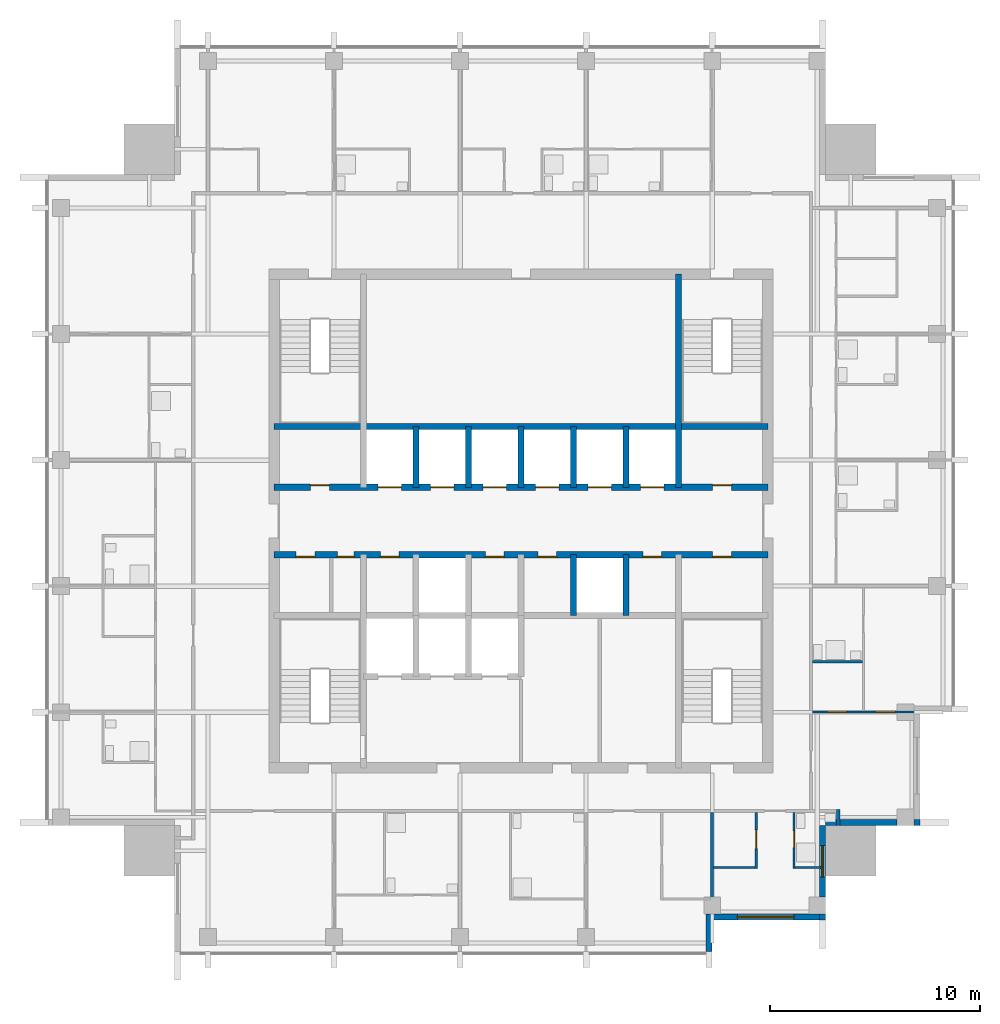
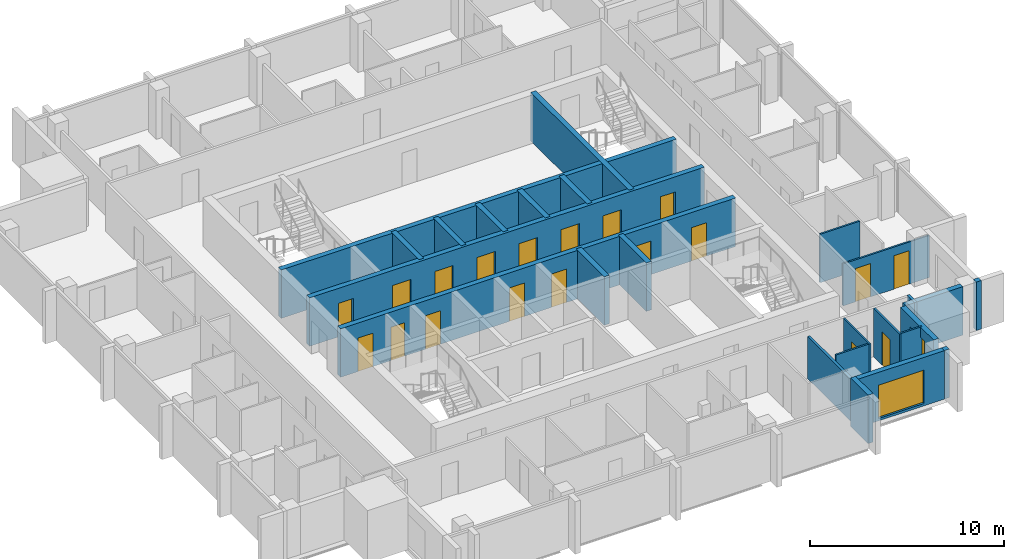
# One storey, part 5 of 9: 25 walls, 19 doors, 2 windows, 21 openings.
"""IFC4 building model written with IfcOpenShell, lengths in metres."""

from ifc_helpers import new_model, si_unit, direction, frame, frame_2d, origin, place, context, subcontext, project, spatial, rectangle, extrude, material, layer, layer_set, type_object, element, fill, save


model = new_model("IFC4")

# Units and contexts
model_context = context("Model", 3, precision=1e-05, world=origin(), true_north=direction((0.0, 1.0)))
body_context = subcontext(model_context, "Body", "Model", "MODEL_VIEW")
ifc_project = project(units=[si_unit("LENGTHUNIT", "METRE"), si_unit("AREAUNIT", "SQUARE_METRE"), si_unit("VOLUMEUNIT", "CUBIC_METRE"), si_unit("PLANEANGLEUNIT", "RADIAN"), si_unit("MASSUNIT", "GRAM", prefix="KILO")], contexts=[model_context])

# Site, building, storey
site_placement = place(None, origin())
site = spatial("IfcSite", under=ifc_project, at=site_placement, CompositionType="ELEMENT")
building_placement = place(site_placement, origin())
building = spatial("IfcBuilding", under=site, at=building_placement, Name="Amberfall Residences", CompositionType="ELEMENT")
storey_placement = place(building_placement, frame((0.0, 0.0, 265.300048828125)))
storey = spatial("IfcBuildingStorey", under=building, at=storey_placement, Name="L71", CompositionType="ELEMENT", Elevation=265.300048828125)

# Walls
ifc_material_1 = material(Name="Pale stone cladding on insulated backing", Category="masonry")
ifc_layer_1 = layer(ifc_material_1, 0.300048828125)
ifc_layer_set_1 = layer_set([ifc_layer_1], Name="Bronze clad wall 300")
wall_type_1 = type_object("IfcWallType", Name="Bronze clad wall 300", PredefinedType="SOLIDWALL", material=ifc_layer_set_1)
wall_1_placement = place(storey_placement, frame((83.449951171875, 25.0, 0.0), z_axis=(0.0, 0.0, 1.0), x_axis=(0.0, 1.0, 0.0)))
element("IfcWall", 1, at=wall_1_placement, inside=storey, type_object=wall_type_1, Name="External wall L71 S", PredefinedType="SOLIDWALL", context=body_context, shape_type="SweptSolid", body=[
    extrude(rectangle(XDim=1.800048828125, YDim=0.300048828125, at=frame_2d((0.89990234375, 0.0))), origin(), (0.0, 0.0, 1.0), 3.050048828125),
])
wall_2_placement = place(storey_placement, frame((88.85009765625, 26.5, 0.0), z_axis=(0.0, 0.0, 1.0), x_axis=(0.0, 1.0, 0.0)))
element("IfcWall", 2, at=wall_2_placement, inside=storey, type_object=wall_type_1, Name="External wall L71 SE", PredefinedType="SOLIDWALL", context=body_context, shape_type="SweptSolid", body=[
    extrude(rectangle(XDim=0.300048828125, YDim=0.300048828125, at=frame_2d((0.14990234375, 0.0))), origin(), (0.0, 0.0, 1.0), 3.050048828125),
])

# Wall, opening, window
wall_3_placement = place(storey_placement, frame((88.85009765625, 27.60009765625, 0.0), z_axis=(0.0, 0.0, 1.0), x_axis=(0.0, 1.0, 0.0)))
wall_3 = element("IfcWall", 3, at=wall_3_placement, inside=storey, type_object=wall_type_1, Name="External wall L71 SE", PredefinedType="SOLIDWALL", context=body_context, shape_type="SweptSolid", body=[
    extrude(rectangle(XDim=3.39990234375, YDim=0.300048828125, at=frame_2d((1.699951171875, 0.0))), origin(), (0.0, 0.0, 1.0), 3.050048828125),
])
opening_1_placement = place(wall_3_placement, frame((0.949951171875, 0.0, 0.89990234375)))
opening_1 = element("IfcOpeningElement", 4, at=opening_1_placement, cuts=wall_3, Name="Opening WN1", PredefinedType="OPENING", context=body_context, shape_type="SweptSolid", body=[
    extrude(rectangle(XDim=1.5, YDim=1.5, at=frame_2d((0.75, 0.75))), frame((0.0, 0.159912109375, 0.0), z_axis=(0.0, -1.0, 0.0), x_axis=(1.0, 0.0, 0.0)), (0.0, 0.0, 1.0), 0.320068359375),
])
ifc_material_2 = material(Name="Bronze aluminium framed glazing", Category="aluminium")
window_type_1 = type_object("IfcWindowType", Name="Window 1500 x 1500 bronze", PartitioningType="DOUBLE_PANEL_VERTICAL", PredefinedType="WINDOW", material=ifc_material_2)
window_1_placement = place(opening_1_placement, origin())
window_1 = element("IfcWindow", 5, at=window_1_placement, inside=storey, type_object=window_type_1, Name="Window L71 SE", OverallHeight=1.5, OverallWidth=1.5, PartitioningType="DOUBLE_PANEL_VERTICAL", PredefinedType="WINDOW", context=body_context, shape_type="SweptSolid", body=[
    extrude(rectangle(XDim=1.5, YDim=1.5, at=frame_2d((0.75, 0.75))), frame((0.0, 0.030029296875, 0.0), z_axis=(0.0, -1.0, 0.0), x_axis=(1.0, 0.0, 0.0)), (0.0, 0.0, 1.0), 0.06005859375),
])
fill(opening_1, window_1)

# Walls
wall_4_placement = place(storey_placement, frame((89.0, 31.14990234375, 0.0), z_axis=(0.0, 0.0, 1.0), x_axis=(1.0, 0.0, 0.0)))
element("IfcWall", 6, at=wall_4_placement, inside=storey, type_object=wall_type_1, Name="External wall L71 SE", PredefinedType="SOLIDWALL", context=body_context, shape_type="SweptSolid", body=[
    extrude(rectangle(XDim=3.39990234375, YDim=0.300048828125, at=frame_2d((1.699951171875, 0.0))), origin(), (0.0, 0.0, 1.0), 3.050048828125),
])
wall_5_placement = place(storey_placement, frame((93.199951171875, 31.14990234375, 0.0), z_axis=(0.0, 0.0, 1.0), x_axis=(1.0, 0.0, 0.0)))
element("IfcWall", 7, at=wall_5_placement, inside=storey, type_object=wall_type_1, Name="External wall L71 SE", PredefinedType="SOLIDWALL", context=body_context, shape_type="SweptSolid", body=[
    extrude(rectangle(XDim=0.300048828125, YDim=0.300048828125, at=frame_2d((0.14990234375, 0.0))), origin(), (0.0, 0.0, 1.0), 3.050048828125),
])

# Wall, opening, window
wall_6_placement = place(storey_placement, frame((83.60009765625, 26.64990234375, 0.0), z_axis=(0.0, 0.0, 1.0), x_axis=(1.0, 0.0, 0.0)))
wall_6 = element("IfcWall", 8, at=wall_6_placement, inside=storey, type_object=wall_type_1, Name="Stone wall L71 S", PredefinedType="SOLIDWALL", context=body_context, shape_type="SweptSolid", body=[
    extrude(rectangle(XDim=5.099853515625, YDim=0.300048828125, at=frame_2d((2.5498046875, 0.0))), origin(), (0.0, 0.0, 1.0), 3.050048828125),
])
opening_2_placement = place(wall_6_placement, frame((1.199951171875, 0.0, 0.14990234375)))
opening_2 = element("IfcOpeningElement", 9, at=opening_2_placement, cuts=wall_6, Name="Opening WN4", PredefinedType="OPENING", context=body_context, shape_type="SweptSolid", body=[
    extrude(rectangle(XDim=2.699951171875, YDim=2.10009765625, at=frame_2d((1.35009765625, 1.050048828125))), frame((0.0, 0.159912109375, 0.0), z_axis=(0.0, -1.0, 0.0), x_axis=(1.0, 0.0, 0.0)), (0.0, 0.0, 1.0), 0.320068359375),
])
window_type_2 = type_object("IfcWindowType", Name="Glazed opening 2700 x 2100 bronze", PartitioningType="DOUBLE_PANEL_VERTICAL", PredefinedType="WINDOW", material=ifc_material_2)
window_2_placement = place(opening_2_placement, origin())
window_2 = element("IfcWindow", 10, at=window_2_placement, inside=storey, type_object=window_type_2, Name="Window L71 S", OverallHeight=2.10009765625, OverallWidth=2.699951171875, PartitioningType="DOUBLE_PANEL_VERTICAL", PredefinedType="WINDOW", context=body_context, shape_type="SweptSolid", body=[
    extrude(rectangle(XDim=2.699951171875, YDim=2.10009765625, at=frame_2d((1.35009765625, 1.050048828125))), frame((0.0, 0.030029296875, 0.0), z_axis=(0.0, -1.0, 0.0), x_axis=(1.0, 0.0, 0.0)), (0.0, 0.0, 1.0), 0.06005859375),
])
fill(opening_2, window_2)

# Wall, openings, doors
ifc_material_3 = material(Name="Concrete C50", Category="concrete")
ifc_layer_2 = layer(ifc_material_3, 0.300048828125)
ifc_layer_set_2 = layer_set([ifc_layer_2], Name="Core wall 300 C50")
wall_type_2 = type_object("IfcWallType", Name="Core wall 300 C50", PredefinedType="SHEAR", material=ifc_layer_set_2)
wall_7_placement = place(storey_placement, frame((62.75, 43.89990234375, 0.0), z_axis=(0.0, 0.0, 1.0), x_axis=(1.0, 0.0, 0.0)))
wall_7 = element("IfcWall", 11, at=wall_7_placement, inside=storey, type_object=wall_type_2, Name="Core wall RW10 L71 H104", PredefinedType="SHEAR", context=body_context, shape_type="SweptSolid", body=[
    extrude(rectangle(XDim=23.5, YDim=0.300048828125, at=frame_2d((11.75, 0.0))), origin(), (0.0, 0.0, 1.0), 3.050048828125),
])
opening_3_placement = place(wall_7_placement, frame((1.031982421875, 0.0, 0.0)))
opening_3 = element("IfcOpeningElement", 12, at=opening_3_placement, cuts=wall_7, Name="Opening RD1", PredefinedType="OPENING", context=body_context, shape_type="SweptSolid", body=[
    extrude(rectangle(XDim=0.89990234375, YDim=2.10009765625, at=frame_2d((0.449951171875, 1.050048828125))), frame((0.0, 0.159912109375, 0.0), z_axis=(0.0, -1.0, 0.0), x_axis=(1.0, 0.0, 0.0)), (0.0, 0.0, 1.0), 0.320068359375),
])
opening_4_placement = place(wall_7_placement, frame((3.007080078125, 0.0, 0.0)))
opening_4 = element("IfcOpeningElement", 13, at=opening_4_placement, cuts=wall_7, Name="Opening RD2", PredefinedType="OPENING", context=body_context, shape_type="SweptSolid", body=[
    extrude(rectangle(XDim=0.800048828125, YDim=2.10009765625, at=frame_2d((0.39990234375, 1.050048828125))), frame((0.0, 0.159912109375, 0.0), z_axis=(0.0, -1.0, 0.0), x_axis=(1.0, 0.0, 0.0)), (0.0, 0.0, 1.0), 0.320068359375),
])
opening_5_placement = place(wall_7_placement, frame((20.875, 0.0, 0.0)))
opening_5 = element("IfcOpeningElement", 14, at=opening_5_placement, cuts=wall_7, Name="Opening RD1", PredefinedType="OPENING", context=body_context, shape_type="SweptSolid", body=[
    extrude(rectangle(XDim=0.89990234375, YDim=2.10009765625, at=frame_2d((0.449951171875, 1.050048828125))), frame((0.0, 0.159912109375, 0.0), z_axis=(0.0, -1.0, 0.0), x_axis=(1.0, 0.0, 0.0)), (0.0, 0.0, 1.0), 0.320068359375),
])
opening_6_placement = place(wall_7_placement, frame((5.050048828125, 0.0, 0.0)))
opening_6 = element("IfcOpeningElement", 15, at=opening_6_placement, cuts=wall_7, Name="Opening RD1", PredefinedType="OPENING", context=body_context, shape_type="SweptSolid", body=[
    extrude(rectangle(XDim=0.89990234375, YDim=2.10009765625, at=frame_2d((0.449951171875, 1.050048828125))), frame((0.0, 0.159912109375, 0.0), z_axis=(0.0, -1.0, 0.0), x_axis=(1.0, 0.0, 0.0)), (0.0, 0.0, 1.0), 0.320068359375),
])
opening_7_placement = place(wall_7_placement, frame((10.050048828125, 0.0, 0.0)))
opening_7 = element("IfcOpeningElement", 16, at=opening_7_placement, cuts=wall_7, Name="Opening RD1", PredefinedType="OPENING", context=body_context, shape_type="SweptSolid", body=[
    extrude(rectangle(XDim=0.89990234375, YDim=2.10009765625, at=frame_2d((0.449951171875, 1.050048828125))), frame((0.0, 0.159912109375, 0.0), z_axis=(0.0, -1.0, 0.0), x_axis=(1.0, 0.0, 0.0)), (0.0, 0.0, 1.0), 0.320068359375),
])
opening_8_placement = place(wall_7_placement, frame((12.550048828125, 0.0, 0.0)))
opening_8 = element("IfcOpeningElement", 17, at=opening_8_placement, cuts=wall_7, Name="Opening RD1", PredefinedType="OPENING", context=body_context, shape_type="SweptSolid", body=[
    extrude(rectangle(XDim=0.89990234375, YDim=2.10009765625, at=frame_2d((0.449951171875, 1.050048828125))), frame((0.0, 0.159912109375, 0.0), z_axis=(0.0, -1.0, 0.0), x_axis=(1.0, 0.0, 0.0)), (0.0, 0.0, 1.0), 0.320068359375),
])
opening_9_placement = place(wall_7_placement, frame((17.550048828125, 0.0, 0.0)))
opening_9 = element("IfcOpeningElement", 18, at=opening_9_placement, cuts=wall_7, Name="Opening RD1", PredefinedType="OPENING", context=body_context, shape_type="SweptSolid", body=[
    extrude(rectangle(XDim=0.89990234375, YDim=2.10009765625, at=frame_2d((0.449951171875, 1.050048828125))), frame((0.0, 0.159912109375, 0.0), z_axis=(0.0, -1.0, 0.0), x_axis=(1.0, 0.0, 0.0)), (0.0, 0.0, 1.0), 0.320068359375),
])
ifc_material_4 = material(Name="Steel fire door set", Category="steel")
door_type_1 = type_object("IfcDoorType", Name="Service room door 800 x 2100", OperationType="SINGLE_SWING_LEFT", PredefinedType="DOOR", material=ifc_material_4)
door_1_placement = place(opening_4_placement, origin())
door_1 = element("IfcDoor", 19, at=door_1_placement, inside=storey, type_object=door_type_1, Name="RD2 L71", OperationType="SINGLE_SWING_RIGHT", OverallHeight=2.10009765625, OverallWidth=0.800048828125, PredefinedType="DOOR", context=body_context, shape_type="SweptSolid", body=[
    extrude(rectangle(XDim=0.800048828125, YDim=2.10009765625, at=frame_2d((0.39990234375, 1.050048828125))), frame((0.0, -0.08740234375, 0.0), z_axis=(0.0, -1.0, 0.0), x_axis=(1.0, 0.0, 0.0)), (0.0, 0.0, 1.0), 0.050048828125),
])
fill(opening_4, door_1)
door_type_2 = type_object("IfcDoorType", Name="Service room door 900 x 2100", OperationType="SINGLE_SWING_LEFT", PredefinedType="DOOR", material=ifc_material_4)
door_2_placement = place(opening_3_placement, origin())
door_2 = element("IfcDoor", 20, at=door_2_placement, inside=storey, type_object=door_type_2, Name="RD1 L71", OperationType="SINGLE_SWING_LEFT", OverallHeight=2.10009765625, OverallWidth=0.89990234375, PredefinedType="DOOR", context=body_context, shape_type="SweptSolid", body=[
    extrude(rectangle(XDim=0.89990234375, YDim=2.10009765625, at=frame_2d((0.449951171875, 1.050048828125))), frame((0.0, -0.08740234375, 0.0), z_axis=(0.0, -1.0, 0.0), x_axis=(1.0, 0.0, 0.0)), (0.0, 0.0, 1.0), 0.050048828125),
])
fill(opening_3, door_2)
door_3_placement = place(opening_5_placement, origin())
door_3 = element("IfcDoor", 21, at=door_3_placement, inside=storey, type_object=door_type_2, Name="RD1 L71", OperationType="SINGLE_SWING_LEFT", OverallHeight=2.10009765625, OverallWidth=0.89990234375, PredefinedType="DOOR", context=body_context, shape_type="SweptSolid", body=[
    extrude(rectangle(XDim=0.89990234375, YDim=2.10009765625, at=frame_2d((0.449951171875, 1.050048828125))), frame((0.0, -0.08740234375, 0.0), z_axis=(0.0, -1.0, 0.0), x_axis=(1.0, 0.0, 0.0)), (0.0, 0.0, 1.0), 0.050048828125),
])
fill(opening_5, door_3)
door_4_placement = place(opening_6_placement, origin())
door_4 = element("IfcDoor", 22, at=door_4_placement, inside=storey, type_object=door_type_2, Name="RD1 L71", OperationType="SINGLE_SWING_RIGHT", OverallHeight=2.10009765625, OverallWidth=0.89990234375, PredefinedType="DOOR", context=body_context, shape_type="SweptSolid", body=[
    extrude(rectangle(XDim=0.89990234375, YDim=2.10009765625, at=frame_2d((0.449951171875, 1.050048828125))), frame((0.0, -0.08740234375, 0.0), z_axis=(0.0, -1.0, 0.0), x_axis=(1.0, 0.0, 0.0)), (0.0, 0.0, 1.0), 0.050048828125),
])
fill(opening_6, door_4)
door_5_placement = place(opening_7_placement, origin())
door_5 = element("IfcDoor", 23, at=door_5_placement, inside=storey, type_object=door_type_2, Name="RD1 L71", OperationType="SINGLE_SWING_RIGHT", OverallHeight=2.10009765625, OverallWidth=0.89990234375, PredefinedType="DOOR", context=body_context, shape_type="SweptSolid", body=[
    extrude(rectangle(XDim=0.89990234375, YDim=2.10009765625, at=frame_2d((0.449951171875, 1.050048828125))), frame((0.0, -0.08740234375, 0.0), z_axis=(0.0, -1.0, 0.0), x_axis=(1.0, 0.0, 0.0)), (0.0, 0.0, 1.0), 0.050048828125),
])
fill(opening_7, door_5)
door_6_placement = place(opening_8_placement, origin())
door_6 = element("IfcDoor", 24, at=door_6_placement, inside=storey, type_object=door_type_2, Name="RD1 L71", OperationType="SINGLE_SWING_LEFT", OverallHeight=2.10009765625, OverallWidth=0.89990234375, PredefinedType="DOOR", context=body_context, shape_type="SweptSolid", body=[
    extrude(rectangle(XDim=0.89990234375, YDim=2.10009765625, at=frame_2d((0.449951171875, 1.050048828125))), frame((0.0, -0.08740234375, 0.0), z_axis=(0.0, -1.0, 0.0), x_axis=(1.0, 0.0, 0.0)), (0.0, 0.0, 1.0), 0.050048828125),
])
fill(opening_8, door_6)
door_7_placement = place(opening_9_placement, origin())
door_7 = element("IfcDoor", 25, at=door_7_placement, inside=storey, type_object=door_type_2, Name="RD1 L71", OperationType="SINGLE_SWING_LEFT", OverallHeight=2.10009765625, OverallWidth=0.89990234375, PredefinedType="DOOR", context=body_context, shape_type="SweptSolid", body=[
    extrude(rectangle(XDim=0.89990234375, YDim=2.10009765625, at=frame_2d((0.449951171875, 1.050048828125))), frame((0.0, -0.08740234375, 0.0), z_axis=(0.0, -1.0, 0.0), x_axis=(1.0, 0.0, 0.0)), (0.0, 0.0, 1.0), 0.050048828125),
])
fill(opening_9, door_7)

wall_8_placement = place(storey_placement, frame((62.75, 47.10009765625, 0.0), z_axis=(0.0, 0.0, 1.0), x_axis=(1.0, 0.0, 0.0)))
wall_8 = element("IfcWall", 26, at=wall_8_placement, inside=storey, type_object=wall_type_2, Name="Core wall RW10 L71 H136", PredefinedType="SHEAR", context=body_context, shape_type="SweptSolid", body=[
    extrude(rectangle(XDim=23.5, YDim=0.300048828125, at=frame_2d((11.75, 0.0))), origin(), (0.0, 0.0, 1.0), 3.050048828125),
])
opening_10_placement = place(wall_8_placement, frame((1.72509765625, 0.0, 0.0)))
opening_10 = element("IfcOpeningElement", 27, at=opening_10_placement, cuts=wall_8, Name="Opening RD1", PredefinedType="OPENING", context=body_context, shape_type="SweptSolid", body=[
    extrude(rectangle(XDim=0.89990234375, YDim=2.10009765625, at=frame_2d((0.449951171875, 1.050048828125))), frame((0.0, 0.159912109375, 0.0), z_axis=(0.0, -1.0, 0.0), x_axis=(1.0, 0.0, 0.0)), (0.0, 0.0, 1.0), 0.320068359375),
])
opening_11_placement = place(wall_8_placement, frame((20.875, 0.0, 0.0)))
opening_11 = element("IfcOpeningElement", 28, at=opening_11_placement, cuts=wall_8, Name="Opening RD1", PredefinedType="OPENING", context=body_context, shape_type="SweptSolid", body=[
    extrude(rectangle(XDim=0.89990234375, YDim=2.10009765625, at=frame_2d((0.449951171875, 1.050048828125))), frame((0.0, 0.159912109375, 0.0), z_axis=(0.0, -1.0, 0.0), x_axis=(1.0, 0.0, 0.0)), (0.0, 0.0, 1.0), 0.320068359375),
])
opening_12_placement = place(wall_8_placement, frame((4.949951171875, 0.0, 0.0)))
opening_12 = element("IfcOpeningElement", 29, at=opening_12_placement, cuts=wall_8, Name="Opening LD1", PredefinedType="OPENING", context=body_context, shape_type="SweptSolid", body=[
    extrude(rectangle(XDim=1.10009765625, YDim=2.10009765625, at=frame_2d((0.550048828125, 1.050048828125))), frame((0.0, 0.159912109375, 0.0), z_axis=(0.0, -1.0, 0.0), x_axis=(1.0, 0.0, 0.0)), (0.0, 0.0, 1.0), 0.320068359375),
])
opening_13_placement = place(wall_8_placement, frame((7.449951171875, 0.0, 0.0)))
opening_13 = element("IfcOpeningElement", 30, at=opening_13_placement, cuts=wall_8, Name="Opening LD1", PredefinedType="OPENING", context=body_context, shape_type="SweptSolid", body=[
    extrude(rectangle(XDim=1.10009765625, YDim=2.10009765625, at=frame_2d((0.550048828125, 1.050048828125))), frame((0.0, 0.159912109375, 0.0), z_axis=(0.0, -1.0, 0.0), x_axis=(1.0, 0.0, 0.0)), (0.0, 0.0, 1.0), 0.320068359375),
])
opening_14_placement = place(wall_8_placement, frame((9.949951171875, 0.0, 0.0)))
opening_14 = element("IfcOpeningElement", 31, at=opening_14_placement, cuts=wall_8, Name="Opening LD1", PredefinedType="OPENING", context=body_context, shape_type="SweptSolid", body=[
    extrude(rectangle(XDim=1.10009765625, YDim=2.10009765625, at=frame_2d((0.550048828125, 1.050048828125))), frame((0.0, 0.159912109375, 0.0), z_axis=(0.0, -1.0, 0.0), x_axis=(1.0, 0.0, 0.0)), (0.0, 0.0, 1.0), 0.320068359375),
])
opening_15_placement = place(wall_8_placement, frame((12.449951171875, 0.0, 0.0)))
opening_15 = element("IfcOpeningElement", 32, at=opening_15_placement, cuts=wall_8, Name="Opening LD1", PredefinedType="OPENING", context=body_context, shape_type="SweptSolid", body=[
    extrude(rectangle(XDim=1.10009765625, YDim=2.10009765625, at=frame_2d((0.550048828125, 1.050048828125))), frame((0.0, 0.159912109375, 0.0), z_axis=(0.0, -1.0, 0.0), x_axis=(1.0, 0.0, 0.0)), (0.0, 0.0, 1.0), 0.320068359375),
])
opening_16_placement = place(wall_8_placement, frame((14.949951171875, 0.0, 0.0)))
opening_16 = element("IfcOpeningElement", 33, at=opening_16_placement, cuts=wall_8, Name="Opening LD1", PredefinedType="OPENING", context=body_context, shape_type="SweptSolid", body=[
    extrude(rectangle(XDim=1.10009765625, YDim=2.10009765625, at=frame_2d((0.550048828125, 1.050048828125))), frame((0.0, 0.159912109375, 0.0), z_axis=(0.0, -1.0, 0.0), x_axis=(1.0, 0.0, 0.0)), (0.0, 0.0, 1.0), 0.320068359375),
])
opening_17_placement = place(wall_8_placement, frame((17.449951171875, 0.0, 0.0)))
opening_17 = element("IfcOpeningElement", 34, at=opening_17_placement, cuts=wall_8, Name="Opening LD1", PredefinedType="OPENING", context=body_context, shape_type="SweptSolid", body=[
    extrude(rectangle(XDim=1.10009765625, YDim=2.10009765625, at=frame_2d((0.550048828125, 1.050048828125))), frame((0.0, 0.159912109375, 0.0), z_axis=(0.0, -1.0, 0.0), x_axis=(1.0, 0.0, 0.0)), (0.0, 0.0, 1.0), 0.320068359375),
])
door_type_3 = type_object("IfcDoorType", Name="Lift landing door 1100 x 2100", OperationType="DOUBLE_DOOR_SLIDING", PredefinedType="DOOR", material=ifc_material_4)
door_8_placement = place(opening_12_placement, origin())
door_8 = element("IfcDoor", 35, at=door_8_placement, inside=storey, type_object=door_type_3, Name="Landing door HP1 L71", OperationType="DOUBLE_DOOR_SLIDING", OverallHeight=2.10009765625, OverallWidth=1.10009765625, PredefinedType="DOOR", context=body_context, shape_type="SweptSolid", body=[
    extrude(rectangle(XDim=1.10009765625, YDim=2.10009765625, at=frame_2d((0.550048828125, 1.050048828125))), frame((0.0, 0.02490234375, 0.0), z_axis=(0.0, -1.0, 0.0), x_axis=(1.0, 0.0, 0.0)), (0.0, 0.0, 1.0), 0.050048828125),
])
fill(opening_12, door_8)
door_9_placement = place(opening_13_placement, origin())
door_9 = element("IfcDoor", 36, at=door_9_placement, inside=storey, type_object=door_type_3, Name="Landing door HP2 L71", OperationType="DOUBLE_DOOR_SLIDING", OverallHeight=2.10009765625, OverallWidth=1.10009765625, PredefinedType="DOOR", context=body_context, shape_type="SweptSolid", body=[
    extrude(rectangle(XDim=1.10009765625, YDim=2.10009765625, at=frame_2d((0.550048828125, 1.050048828125))), frame((0.0, 0.02490234375, 0.0), z_axis=(0.0, -1.0, 0.0), x_axis=(1.0, 0.0, 0.0)), (0.0, 0.0, 1.0), 0.050048828125),
])
fill(opening_13, door_9)
door_10_placement = place(opening_14_placement, origin())
door_10 = element("IfcDoor", 37, at=door_10_placement, inside=storey, type_object=door_type_3, Name="Landing door HP3 L71", OperationType="DOUBLE_DOOR_SLIDING", OverallHeight=2.10009765625, OverallWidth=1.10009765625, PredefinedType="DOOR", context=body_context, shape_type="SweptSolid", body=[
    extrude(rectangle(XDim=1.10009765625, YDim=2.10009765625, at=frame_2d((0.550048828125, 1.050048828125))), frame((0.0, 0.02490234375, 0.0), z_axis=(0.0, -1.0, 0.0), x_axis=(1.0, 0.0, 0.0)), (0.0, 0.0, 1.0), 0.050048828125),
])
fill(opening_14, door_10)
door_11_placement = place(opening_15_placement, origin())
door_11 = element("IfcDoor", 38, at=door_11_placement, inside=storey, type_object=door_type_3, Name="Landing door HP4 L71", OperationType="DOUBLE_DOOR_SLIDING", OverallHeight=2.10009765625, OverallWidth=1.10009765625, PredefinedType="DOOR", context=body_context, shape_type="SweptSolid", body=[
    extrude(rectangle(XDim=1.10009765625, YDim=2.10009765625, at=frame_2d((0.550048828125, 1.050048828125))), frame((0.0, 0.02490234375, 0.0), z_axis=(0.0, -1.0, 0.0), x_axis=(1.0, 0.0, 0.0)), (0.0, 0.0, 1.0), 0.050048828125),
])
fill(opening_15, door_11)
door_12_placement = place(opening_16_placement, origin())
door_12 = element("IfcDoor", 39, at=door_12_placement, inside=storey, type_object=door_type_3, Name="Landing door HP5 L71", OperationType="DOUBLE_DOOR_SLIDING", OverallHeight=2.10009765625, OverallWidth=1.10009765625, PredefinedType="DOOR", context=body_context, shape_type="SweptSolid", body=[
    extrude(rectangle(XDim=1.10009765625, YDim=2.10009765625, at=frame_2d((0.550048828125, 1.050048828125))), frame((0.0, 0.02490234375, 0.0), z_axis=(0.0, -1.0, 0.0), x_axis=(1.0, 0.0, 0.0)), (0.0, 0.0, 1.0), 0.050048828125),
])
fill(opening_16, door_12)
door_13_placement = place(opening_17_placement, origin())
door_13 = element("IfcDoor", 40, at=door_13_placement, inside=storey, type_object=door_type_3, Name="Landing door HP6 L71", OperationType="DOUBLE_DOOR_SLIDING", OverallHeight=2.10009765625, OverallWidth=1.10009765625, PredefinedType="DOOR", context=body_context, shape_type="SweptSolid", body=[
    extrude(rectangle(XDim=1.10009765625, YDim=2.10009765625, at=frame_2d((0.550048828125, 1.050048828125))), frame((0.0, 0.02490234375, 0.0), z_axis=(0.0, -1.0, 0.0), x_axis=(1.0, 0.0, 0.0)), (0.0, 0.0, 1.0), 0.050048828125),
])
fill(opening_17, door_13)
door_14_placement = place(opening_10_placement, origin())
door_14 = element("IfcDoor", 41, at=door_14_placement, inside=storey, type_object=door_type_2, Name="RD1 L71", OperationType="SINGLE_SWING_LEFT", OverallHeight=2.10009765625, OverallWidth=0.89990234375, PredefinedType="DOOR", context=body_context, shape_type="SweptSolid", body=[
    extrude(rectangle(XDim=0.89990234375, YDim=2.10009765625, at=frame_2d((0.449951171875, 1.050048828125))), frame((0.0, 0.1376953125, 0.0), z_axis=(0.0, -1.0, 0.0), x_axis=(1.0, 0.0, 0.0)), (0.0, 0.0, 1.0), 0.050048828125),
])
fill(opening_10, door_14)
door_15_placement = place(opening_11_placement, origin())
door_15 = element("IfcDoor", 42, at=door_15_placement, inside=storey, type_object=door_type_2, Name="RD1 L71", OperationType="SINGLE_SWING_LEFT", OverallHeight=2.10009765625, OverallWidth=0.89990234375, PredefinedType="DOOR", context=body_context, shape_type="SweptSolid", body=[
    extrude(rectangle(XDim=0.89990234375, YDim=2.10009765625, at=frame_2d((0.449951171875, 1.050048828125))), frame((0.0, 0.1376953125, 0.0), z_axis=(0.0, -1.0, 0.0), x_axis=(1.0, 0.0, 0.0)), (0.0, 0.0, 1.0), 0.050048828125),
])
fill(opening_11, door_15)

# Walls
wall_9_placement = place(storey_placement, frame((62.75, 50.0, 0.0), z_axis=(0.0, 0.0, 1.0), x_axis=(1.0, 0.0, 0.0)))
element("IfcWall", 43, at=wall_9_placement, inside=storey, type_object=wall_type_2, Name="Core wall RW10 L71 H165", PredefinedType="SHEAR", context=body_context, shape_type="SweptSolid", body=[
    extrude(rectangle(XDim=23.5, YDim=0.300048828125, at=frame_2d((11.75, 0.0))), origin(), (0.0, 0.0, 1.0), 3.050048828125),
])
wall_10_placement = place(storey_placement, frame((82.0, 47.10009765625, 0.0), z_axis=(0.0, 0.0, 1.0), x_axis=(0.0, 1.0, 0.0)))
element("IfcWall", 44, at=wall_10_placement, inside=storey, type_object=wall_type_2, Name="Core wall RW10 L71 V195N", PredefinedType="SHEAR", context=body_context, shape_type="SweptSolid", body=[
    extrude(rectangle(XDim=10.14990234375, YDim=0.300048828125, at=frame_2d((5.074951171875, 0.0))), origin(), (0.0, 0.0, 1.0), 3.050048828125),
])
for number, where, z_axis, x_axis, name in (
    (45, (69.5, 47.10009765625, 0.0), (0.0, 0.0, 1.0), (0.0, 1.0, 0.0), "Core wall RW10 L71 HPD1"),
    (46, (72.0, 47.10009765625, 0.0), (0.0, 0.0, 1.0), (0.0, 1.0, 0.0), "Core wall RW10 L71 HPD2"),
    (47, (74.5, 47.10009765625, 0.0), (0.0, 0.0, 1.0), (0.0, 1.0, 0.0), "Core wall RW10 L71 HPD3"),
    (48, (77.0, 41.0, 0.0), (0.0, 0.0, 1.0), (0.0, 1.0, 0.0), "Core wall RW10 L71 LPD4"),
    (49, (77.0, 47.10009765625, 0.0), (0.0, 0.0, 1.0), (0.0, 1.0, 0.0), "Core wall RW10 L71 HPD4"),
    (50, (79.5, 41.0, 0.0), (0.0, 0.0, 1.0), (0.0, 1.0, 0.0), "Core wall RW10 L71 LPD5"),
    (51, (79.5, 47.10009765625, 0.0), (0.0, 0.0, 1.0), (0.0, 1.0, 0.0), "Core wall RW10 L71 HPD5"),
):
    element("IfcWall", number, at=place(storey_placement, frame(where, z_axis=z_axis, x_axis=x_axis)), inside=storey, type_object=wall_type_2, Name=name, PredefinedType="SHEAR", context=body_context, shape_type="SweptSolid", body=[
        extrude(rectangle(XDim=2.89990234375, YDim=0.300048828125, at=frame_2d((1.449951171875, 0.0))), origin(), (0.0, 0.0, 1.0), 3.050048828125),
    ])

# Wall, opening, door
ifc_material_5 = material(Name="Gypsum board on metal stud")
ifc_layer_3 = layer(ifc_material_5, 0.10009765625)
ifc_layer_set_3 = layer_set([ifc_layer_3], Name="Flat partition 100")
wall_type_3 = type_object("IfcWallType", Name="Flat partition 100", PredefinedType="PARTITIONING", material=ifc_layer_set_3)
wall_11_placement = place(storey_placement, frame((85.699951171875, 28.949951171875, 0.0), z_axis=(0.0, 0.0, 1.0), x_axis=(0.0, 1.0, 0.0)))
wall_11 = element("IfcWall", 52, at=wall_11_placement, inside=storey, type_object=wall_type_3, Name="Partition 017", PredefinedType="PARTITIONING", context=body_context, shape_type="SweptSolid", body=[
    extrude(rectangle(XDim=2.675048828125, YDim=0.10009765625, at=frame_2d((1.33740234375, 0.0))), origin(), (0.0, 0.0, 1.0), 3.050048828125),
])
opening_18_placement = place(wall_11_placement, frame((0.949951171875, 0.0, 0.0)))
opening_18 = element("IfcOpeningElement", 53, at=opening_18_placement, cuts=wall_11, Name="Opening D41", PredefinedType="OPENING", context=body_context, shape_type="SweptSolid", body=[
    extrude(rectangle(XDim=0.89990234375, YDim=2.10009765625, at=frame_2d((0.449951171875, 1.050048828125))), frame((0.0, 0.06005859375, 0.0), z_axis=(0.0, -1.0, 0.0), x_axis=(1.0, 0.0, 0.0)), (0.0, 0.0, 1.0), 0.1201171875),
])
ifc_material_6 = material(Name="Timber", Category="wood")
door_type_4 = type_object("IfcDoorType", Name="Internal door 900 x 2100", OperationType="SINGLE_SWING_LEFT", PredefinedType="DOOR", material=ifc_material_6)
door_16_placement = place(opening_18_placement, origin())
door_16 = element("IfcDoor", 54, at=door_16_placement, inside=storey, type_object=door_type_4, Name="Door 7103 kitchen", OperationType="SINGLE_SWING_LEFT", OverallHeight=2.10009765625, OverallWidth=0.89990234375, PredefinedType="DOOR", context=body_context, shape_type="SweptSolid", body=[
    extrude(rectangle(XDim=0.89990234375, YDim=2.10009765625, at=frame_2d((0.449951171875, 1.050048828125))), frame((0.0, 0.02490234375, 0.0), z_axis=(0.0, -1.0, 0.0), x_axis=(1.0, 0.0, 0.0)), (0.0, 0.0, 1.0), 0.050048828125),
])
fill(opening_18, door_16)

wall_12_placement = place(storey_placement, frame((87.5, 31.625, 0.0), z_axis=(0.0, 0.0, 1.0), x_axis=(0.0, -1.0, 0.0)))
wall_12 = element("IfcWall", 55, at=wall_12_placement, inside=storey, type_object=wall_type_3, Name="Partition 018", PredefinedType="PARTITIONING", context=body_context, shape_type="SweptSolid", body=[
    extrude(rectangle(XDim=2.675048828125, YDim=0.10009765625, at=frame_2d((1.33740234375, 0.0))), origin(), (0.0, 0.0, 1.0), 3.050048828125),
])
opening_19_placement = place(wall_12_placement, frame((0.875, 0.0, 0.0)))
opening_19 = element("IfcOpeningElement", 56, at=opening_19_placement, cuts=wall_12, Name="Opening D42", PredefinedType="OPENING", context=body_context, shape_type="SweptSolid", body=[
    extrude(rectangle(XDim=0.800048828125, YDim=2.10009765625, at=frame_2d((0.39990234375, 1.050048828125))), frame((0.0, 0.06005859375, 0.0), z_axis=(0.0, -1.0, 0.0), x_axis=(1.0, 0.0, 0.0)), (0.0, 0.0, 1.0), 0.1201171875),
])
door_type_5 = type_object("IfcDoorType", Name="Bathroom door 800 x 2100", OperationType="SINGLE_SWING_LEFT", PredefinedType="DOOR", material=ifc_material_6)
door_17_placement = place(opening_19_placement, origin())
door_17 = element("IfcDoor", 57, at=door_17_placement, inside=storey, type_object=door_type_5, Name="Door 7103 bath1", OperationType="SINGLE_SWING_LEFT", OverallHeight=2.10009765625, OverallWidth=0.800048828125, PredefinedType="DOOR", context=body_context, shape_type="SweptSolid", body=[
    extrude(rectangle(XDim=0.800048828125, YDim=2.10009765625, at=frame_2d((0.39990234375, 1.050048828125))), frame((0.0, 0.02490234375, 0.0), z_axis=(0.0, -1.0, 0.0), x_axis=(1.0, 0.0, 0.0)), (0.0, 0.0, 1.0), 0.050048828125),
])
fill(opening_19, door_17)

# Wall
wall_13_placement = place(storey_placement, frame((88.375, 38.800048828125, 0.0), z_axis=(0.0, 0.0, 1.0), x_axis=(1.0, 0.0, 0.0)))
element("IfcWall", 58, at=wall_13_placement, inside=storey, type_object=wall_type_3, Name="Partition 039", PredefinedType="PARTITIONING", context=body_context, shape_type="SweptSolid", body=[
    extrude(rectangle(XDim=2.375, YDim=0.10009765625, at=frame_2d((1.1875, 0.0))), origin(), (0.0, 0.0, 1.0), 3.050048828125),
])

# Wall, openings, doors
wall_14_placement = place(storey_placement, frame((88.375, 36.39990234375, 0.0), z_axis=(0.0, 0.0, 1.0), x_axis=(1.0, 0.0, 0.0)))
wall_14 = element("IfcWall", 59, at=wall_14_placement, inside=storey, type_object=wall_type_3, Name="Partition 041", PredefinedType="PARTITIONING", context=body_context, shape_type="SweptSolid", body=[
    extrude(rectangle(XDim=5.125, YDim=0.10009765625, at=frame_2d((2.5625, 0.0))), origin(), (0.0, 0.0, 1.0), 2.64697265625),
])
opening_20_placement = place(wall_14_placement, frame((0.72509765625, 0.0, 0.0)))
opening_20 = element("IfcOpeningElement", 60, at=opening_20_placement, cuts=wall_14, Name="Opening D41", PredefinedType="OPENING", context=body_context, shape_type="SweptSolid", body=[
    extrude(rectangle(XDim=0.89990234375, YDim=2.10009765625, at=frame_2d((0.449951171875, 1.050048828125))), frame((0.0, 0.06005859375, 0.0), z_axis=(0.0, -1.0, 0.0), x_axis=(1.0, 0.0, 0.0)), (0.0, 0.0, 1.0), 0.1201171875),
])
opening_21_placement = place(wall_14_placement, frame((3.02490234375, 0.0, 0.0)))
opening_21 = element("IfcOpeningElement", 61, at=opening_21_placement, cuts=wall_14, Name="Opening D41", PredefinedType="OPENING", context=body_context, shape_type="SweptSolid", body=[
    extrude(rectangle(XDim=0.89990234375, YDim=2.10009765625, at=frame_2d((0.449951171875, 1.050048828125))), frame((0.0, 0.06005859375, 0.0), z_axis=(0.0, -1.0, 0.0), x_axis=(1.0, 0.0, 0.0)), (0.0, 0.0, 1.0), 0.1201171875),
])
door_18_placement = place(opening_20_placement, origin())
door_18 = element("IfcDoor", 62, at=door_18_placement, inside=storey, type_object=door_type_4, Name="Door 7104 kitchen", OperationType="SINGLE_SWING_LEFT", OverallHeight=2.10009765625, OverallWidth=0.89990234375, PredefinedType="DOOR", context=body_context, shape_type="SweptSolid", body=[
    extrude(rectangle(XDim=0.89990234375, YDim=2.10009765625, at=frame_2d((0.449951171875, 1.050048828125))), frame((0.0, 0.02490234375, 0.0), z_axis=(0.0, -1.0, 0.0), x_axis=(1.0, 0.0, 0.0)), (0.0, 0.0, 1.0), 0.050048828125),
])
fill(opening_20, door_18)
door_19_placement = place(opening_21_placement, origin())
door_19 = element("IfcDoor", 63, at=door_19_placement, inside=storey, type_object=door_type_4, Name="Door 7104 bedroom1", OperationType="SINGLE_SWING_LEFT", OverallHeight=2.10009765625, OverallWidth=0.89990234375, PredefinedType="DOOR", context=body_context, shape_type="SweptSolid", body=[
    extrude(rectangle(XDim=0.89990234375, YDim=2.10009765625, at=frame_2d((0.449951171875, 1.050048828125))), frame((0.0, 0.02490234375, 0.0), z_axis=(0.0, -1.0, 0.0), x_axis=(1.0, 0.0, 0.0)), (0.0, 0.0, 1.0), 0.050048828125),
])
fill(opening_21, door_19)

# Walls
wall_15_placement = place(storey_placement, frame((83.675048828125, 29.0, 0.0), z_axis=(0.0, 0.0, 1.0), x_axis=(1.0, 0.0, 0.0)))
element("IfcWall", 64, at=wall_15_placement, inside=storey, type_object=wall_type_3, Name="Partition 044", PredefinedType="PARTITIONING", context=body_context, shape_type="SweptSolid", body=[
    extrude(rectangle(XDim=1.974853515625, YDim=0.10009765625, at=frame_2d((0.9873046875, 0.0))), origin(), (0.0, 0.0, 1.0), 3.050048828125),
])
wall_16_placement = place(storey_placement, frame((87.550048828125, 29.0, 0.0), z_axis=(0.0, 0.0, 1.0), x_axis=(1.0, 0.0, 0.0)))
element("IfcWall", 65, at=wall_16_placement, inside=storey, type_object=wall_type_3, Name="Partition 045", PredefinedType="PARTITIONING", context=body_context, shape_type="SweptSolid", body=[
    extrude(rectangle(XDim=1.25, YDim=0.10009765625, at=frame_2d((0.625, 0.0))), origin(), (0.0, 0.0, 1.0), 3.050048828125),
])
ifc_material_7 = material(Name="Blockwork, plastered", Category="masonry")
ifc_layer_4 = layer(ifc_material_7, 0.14990234375)
ifc_layer_set_4 = layer_set([ifc_layer_4], Name="Flat separating wall 150")
wall_type_4 = type_object("IfcWallType", Name="Flat separating wall 150", PredefinedType="PARTITIONING", material=ifc_layer_set_4)
wall_17_placement = place(storey_placement, frame((83.60009765625, 26.5, 0.0), z_axis=(0.0, 0.0, 1.0), x_axis=(0.0, 1.0, 0.0)))
element("IfcWall", 66, at=wall_17_placement, inside=storey, type_object=wall_type_4, Name="Separating wall 054", PredefinedType="PARTITIONING", context=body_context, shape_type="SweptSolid", body=[
    extrude(rectangle(XDim=5.125, YDim=0.14990234375, at=frame_2d((2.5625, 0.0))), origin(), (0.0, 0.0, 1.0), 2.64697265625),
])
wall_18_placement = place(storey_placement, frame((89.60009765625, 31.0, 0.0), z_axis=(0.0, 0.0, 1.0), x_axis=(0.0, 1.0, 0.0)))
element("IfcWall", 67, at=wall_18_placement, inside=storey, type_object=wall_type_4, Name="Separating wall 056", PredefinedType="PARTITIONING", context=body_context, shape_type="SweptSolid", body=[
    extrude(rectangle(XDim=0.77490234375, YDim=0.14990234375, at=frame_2d((0.387451171875, 0.0))), origin(), (0.0, 0.0, 1.0), 3.050048828125),
])

save(model, "model.ifc")
